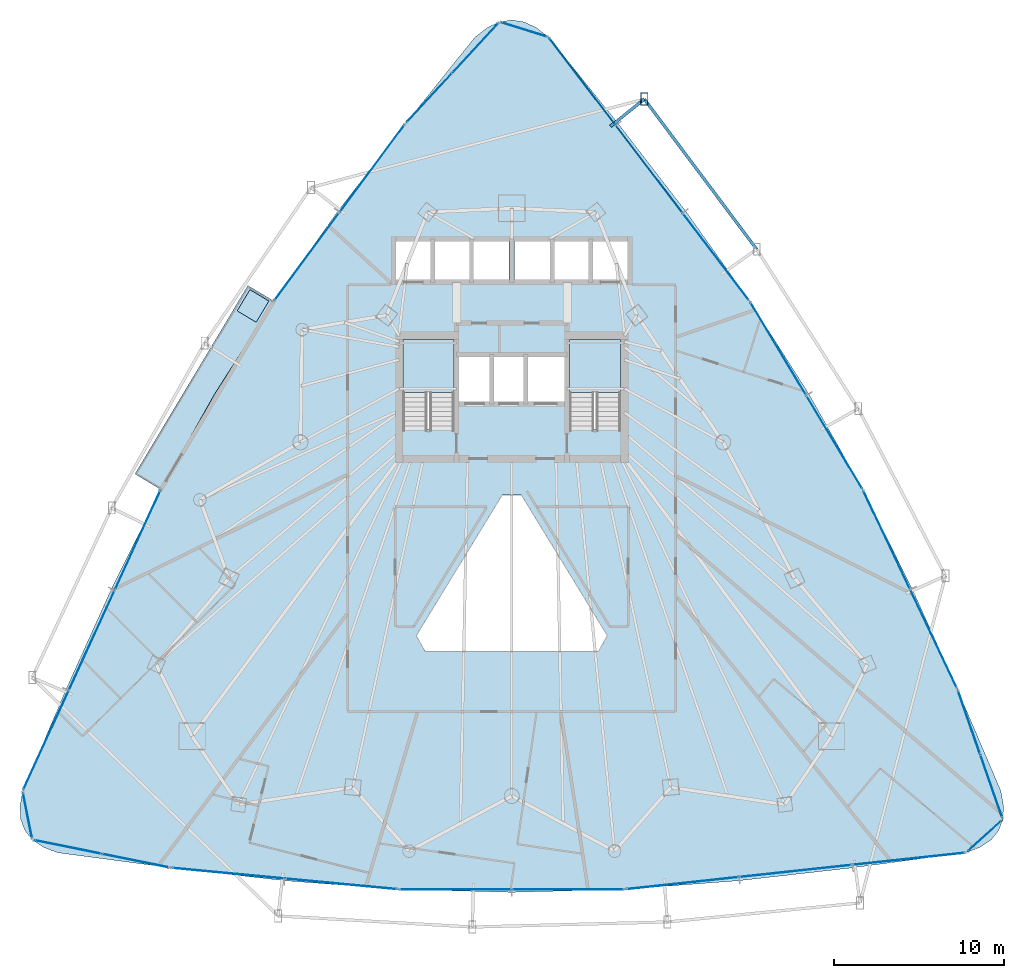
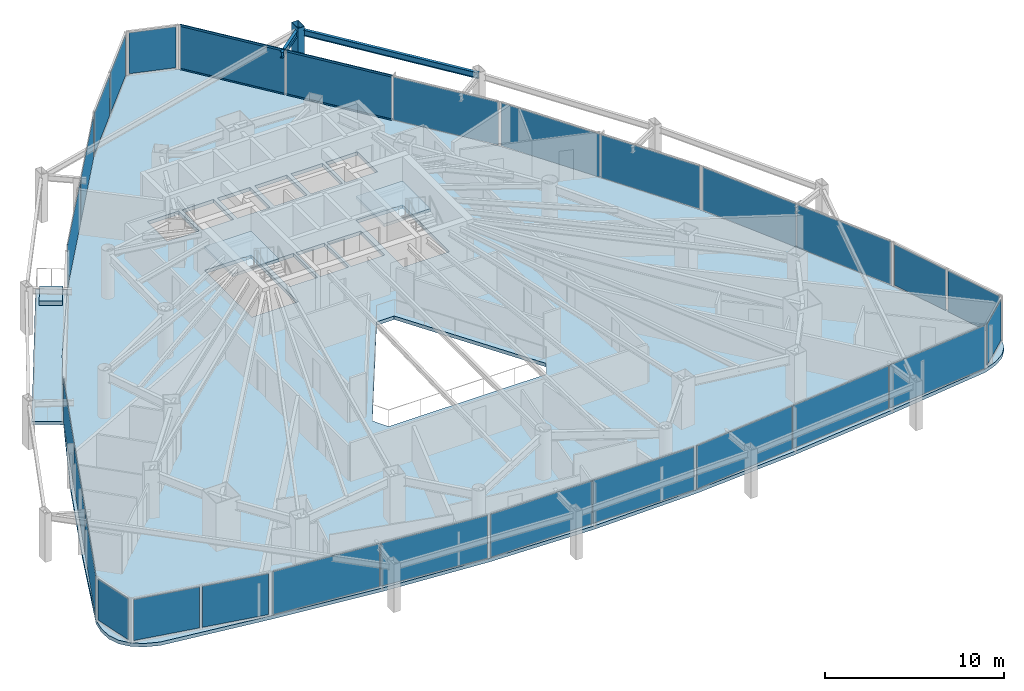
# One storey, part 28 of 35: 28 plates, 5 members, 5 slabs, 2 beams, 16 elements without a shape of their own.
"""IFC4 building model written with IfcOpenShell, lengths in metres."""

from ifc_helpers import new_model, si_unit, direction, frame, origin, origin_2d, place, context, subcontext, project, spatial, polyline, rectangle, hollow_rectangle, i_section, outline, extrude, material, layer, layer_set, material_profile, profile_set, type_object, element, aggregate, save


model = new_model("IFC4")

# Units and contexts
model_context = context("Model", 3, precision=1e-05, world=origin(), true_north=direction((0.0, 1.0)))
body_context = subcontext(model_context, "Body", "Model", "MODEL_VIEW")
ifc_project = project(units=[si_unit("LENGTHUNIT", "METRE"), si_unit("AREAUNIT", "SQUARE_METRE"), si_unit("VOLUMEUNIT", "CUBIC_METRE"), si_unit("PLANEANGLEUNIT", "RADIAN"), si_unit("MASSUNIT", "GRAM", prefix="KILO")], contexts=[model_context])

# Site, building, storey
site_placement = place(None, origin())
site = spatial("IfcSite", under=ifc_project, at=site_placement, CompositionType="ELEMENT")
building_placement = place(site_placement, origin())
building = spatial("IfcBuilding", under=site, at=building_placement, Name="Orvanel Arch Residences", CompositionType="ELEMENT")
storey_placement = place(building_placement, frame((0.0, 0.0, 33.5)))
storey = spatial("IfcBuildingStorey", under=building, at=storey_placement, Name="L08", CompositionType="ELEMENT", Elevation=33.5)

# Member
ifc_material_1 = material(Name="Structural steel AS/NZS 3678 Grade 350", Category="steel")
ifc_material_profile_1 = material_profile(ifc_material_1, hollow_rectangle(XDim=0.419921875, YDim=0.719970703125, WallThickness=0.02490234375, at=origin_2d()), Name="RHS720x420x25")
ifc_profile_set_1 = profile_set([ifc_material_profile_1], Name="Structural steel AS/NZS 3678 Grade 350")
member_type_1 = type_object("IfcMemberType", Name="CH-720RHS-EXT", PredefinedType="CHORD", material=ifc_profile_set_1)
member_1_placement = place(storey_placement, frame((40.794921875, 47.820068359375, 0.0), z_axis=(0.0, 0.0, 1.0), x_axis=(1.0, 0.0, 0.0)))
element("IfcMember", 1, at=member_1_placement, inside=storey, type_object=member_type_1, Name="L08 Outer Perimeter Frame Post 12", PredefinedType="CHORD", context=body_context, shape_type="SweptSolid", body=[
    extrude(hollow_rectangle(XDim=0.419921875, YDim=0.719970703125, WallThickness=0.02490234375, at=origin_2d()), origin(), (0.0, 0.0, 1.0), 3.300048828125),
])

# Beams
ifc_material_2 = material(Name="Structural steel AS/NZS 3679.1 Grade 300 (300 MPa)", Category="steel")
ifc_material_profile_2 = material_profile(ifc_material_2, i_section(OverallWidth=0.177978515625, OverallDepth=0.406005859375, WebThickness=0.0078125, FlangeThickness=0.0126953125, at=origin_2d()), Name="410UB59.7")
ifc_profile_set_2 = profile_set([ifc_material_profile_2], Name="Structural steel AS/NZS 3679.1 Grade 300 (300 MPa)")
beam_type = type_object("IfcBeamType", Name="OB-410UB-EXT", PredefinedType="SPANDREL", material=ifc_profile_set_2)
beam_1_placement = place(storey_placement, frame((47.39794921875, 38.992919921875, 2.85693359375), z_axis=(-0.598993156517, 0.800754143571, 0.0), x_axis=(-0.800754143571, -0.598993156517, 0.0)))
element("IfcBeam", 2, at=beam_1_placement, inside=storey, type_object=beam_type, Name="L08 Outer Perimeter Floor Ring Beam 11", PredefinedType="SPANDREL", context=body_context, shape_type="SweptSolid", body=[
    extrude(i_section(OverallWidth=0.177978515625, OverallDepth=0.406005859375, WebThickness=0.0078125, FlangeThickness=0.0126953125, at=origin_2d()), origin(), (0.0, 0.0, 1.0), 11.0234375),
])
beam_2_placement = place(storey_placement, frame((38.80810546875, 46.221923828125, 2.85693359375), z_axis=(0.779203284633, 0.626771283019, 0.0), x_axis=(-0.626771283019, 0.779203284633, 0.0)))
element("IfcBeam", 3, at=beam_2_placement, inside=storey, type_object=beam_type, Name="L08 Outer Frame Radial Tie Beam 12", PredefinedType="SPANDREL", context=body_context, shape_type="SweptSolid", body=[
    extrude(i_section(OverallWidth=0.177978515625, OverallDepth=0.406005859375, WebThickness=0.0078125, FlangeThickness=0.0126953125, at=origin_2d()), origin(), (0.0, 0.0, 1.0), 2.5498046875),
])

# Curtain wall, members
ifc_material_3 = material(Name="Bronze-anodised aluminium AA6063-T6", Category="aluminium")
ifc_layer_1 = layer(ifc_material_3, 0.179931640625)
ifc_layer_set_1 = layer_set([ifc_layer_1], Name="Bronze-anodised aluminium AA6063-T6")
curtain_wall_type_1 = type_object("IfcCurtainWallType", Name="CW2-LOW-SYS", PredefinedType="NOTDEFINED", material=ifc_layer_set_1)
curtain_wall_1_placement = place(storey_placement, origin())
curtain_wall_1 = element("IfcCurtainWall", 4, at=curtain_wall_1_placement, inside=storey, type_object=curtain_wall_type_1, Name="L08 CW2-LOW-SYS Unitised Curtain Wall", PredefinedType="NOTDEFINED")
ifc_material_profile_3 = material_profile(ifc_material_3, hollow_rectangle(XDim=0.06005859375, YDim=0.135009765625, WallThickness=0.00390625, at=origin_2d()), Name="ALU135x60x4")
ifc_profile_set_3 = profile_set([ifc_material_profile_3], Name="Bronze-anodised aluminium AA6063-T6")
member_type_2 = type_object("IfcMemberType", Name="TRN-135x60", PredefinedType="USERDEFINED", material=ifc_profile_set_3)
member_2_placement = place(storey_placement, frame((43.026123046875, 41.1484375, 0.030029296875), z_axis=(-0.606008829545, 0.7954579175, 0.0), x_axis=(-0.7954579175, -0.606008829545, 0.0)))
member_2 = element("IfcMember", 5, at=member_2_placement, type_object=member_type_2, Name="CW-S2 transom 2.1", ObjectType="TRANSOM", PredefinedType="USERDEFINED", context=body_context, shape_type="SweptSolid", body=[
    extrude(hollow_rectangle(XDim=0.06005859375, YDim=0.135009765625, WallThickness=0.00390625, at=origin_2d()), origin(), (0.0, 0.0, 1.0), 6.417724609375),
])
member_3_placement = place(storey_placement, frame((43.026123046875, 41.1484375, 3.030029296875), z_axis=(-0.606008829545, 0.7954579175, 0.0), x_axis=(-0.7954579175, -0.606008829545, 0.0)))
member_3 = element("IfcMember", 6, at=member_3_placement, type_object=member_type_2, Name="CW-S2 transom 2.2", ObjectType="TRANSOM", PredefinedType="USERDEFINED", context=body_context, shape_type="SweptSolid", body=[
    extrude(hollow_rectangle(XDim=0.06005859375, YDim=0.135009765625, WallThickness=0.00390625, at=origin_2d()), origin(), (0.0, 0.0, 1.0), 6.417724609375),
])
member_4_placement = place(storey_placement, frame((39.094482421875, 46.30908203125, 0.030029296875), z_axis=(-0.606029385985, 0.795442256435, 0.0), x_axis=(-0.795442256435, -0.606029385985, 0.0)))
member_4 = element("IfcMember", 7, at=member_4_placement, type_object=member_type_2, Name="CW-S2 transom 3.1", ObjectType="TRANSOM", PredefinedType="USERDEFINED", context=body_context, shape_type="SweptSolid", body=[
    extrude(hollow_rectangle(XDim=0.06005859375, YDim=0.135009765625, WallThickness=0.00390625, at=origin_2d()), origin(), (0.0, 0.0, 1.0), 6.3828125),
])
member_5_placement = place(storey_placement, frame((39.094482421875, 46.30908203125, 3.030029296875), z_axis=(-0.606029385985, 0.795442256435, 0.0), x_axis=(-0.795442256435, -0.606029385985, 0.0)))
member_5 = element("IfcMember", 8, at=member_5_placement, type_object=member_type_2, Name="CW-S2 transom 3.2", ObjectType="TRANSOM", PredefinedType="USERDEFINED", context=body_context, shape_type="SweptSolid", body=[
    extrude(hollow_rectangle(XDim=0.06005859375, YDim=0.135009765625, WallThickness=0.00390625, at=origin_2d()), origin(), (0.0, 0.0, 1.0), 6.3828125),
])

# Curtain wall, plates
curtain_wall_2_placement = place(storey_placement, origin())
curtain_wall_2 = element("IfcCurtainWall", 9, at=curtain_wall_2_placement, inside=storey, type_object=curtain_wall_type_1, Name="L08 CW2-LOW-SYS Unitised Curtain Wall", PredefinedType="NOTDEFINED")
ifc_material_4 = material(Name="Double-glazed solar-control low-E safety glass", Category="glass")
ifc_layer_2 = layer(ifc_material_4, 0.028076171875)
ifc_layer_set_2 = layer_set([ifc_layer_2], Name="Double-glazed solar-control low-E safety glass")
plate_type_1 = type_object("IfcPlateType", Name="PNL-GLZ-28", PredefinedType="CURTAIN_PANEL", material=ifc_layer_set_2)
plate_1_placement = place(storey_placement, frame((24.7900390625, 43.745849609375, 0.06005859375), z_axis=(0.0, 0.0, 1.0), x_axis=(-0.595342095633, -0.803472332546, 0.0)))
plate_1 = element("IfcPlate", 10, at=plate_1_placement, type_object=plate_type_1, Name="CW-S2 panel 1.1", PredefinedType="CURTAIN_PANEL", context=body_context, shape_type="SweptSolid", body=[
    extrude(rectangle(XDim=6.366943359375, YDim=0.028076171875, at=origin_2d()), origin(), (0.0, 0.0, 1.0), 2.93994140625),
])
plate_2_placement = place(storey_placement, frame((20.9580078125, 38.573974609375, 0.06005859375), z_axis=(0.0, 0.0, 1.0), x_axis=(-0.595342095633, -0.803472332546, 0.0)))
plate_2 = element("IfcPlate", 11, at=plate_2_placement, type_object=plate_type_1, Name="CW-S2 panel 2.1", PredefinedType="CURTAIN_PANEL", context=body_context, shape_type="SweptSolid", body=[
    extrude(rectangle(XDim=6.366943359375, YDim=0.028076171875, at=origin_2d()), origin(), (0.0, 0.0, 1.0), 2.93994140625),
])
aggregate(curtain_wall_2, [plate_1, plate_2])

curtain_wall_3_placement = place(storey_placement, origin())
curtain_wall_3 = element("IfcCurtainWall", 12, at=curtain_wall_3_placement, inside=storey, type_object=curtain_wall_type_1, Name="L08 CW2-LOW-SYS Unitised Curtain Wall", PredefinedType="NOTDEFINED")
plate_3_placement = place(storey_placement, frame((10.99560546875, 21.879150390625, 0.06005859375), z_axis=(0.0, 0.0, 1.0), x_axis=(-0.416537940944, -0.909118333197, 0.0)))
plate_3 = element("IfcPlate", 13, at=plate_3_placement, type_object=plate_type_1, Name="CW-S2 panel 1.1", PredefinedType="CURTAIN_PANEL", context=body_context, shape_type="SweptSolid", body=[
    extrude(rectangle(XDim=6.382568359375, YDim=0.028076171875, at=origin_2d()), origin(), (0.0, 0.0, 1.0), 2.93994140625),
])
plate_4_placement = place(storey_placement, frame((8.300537109375, 15.9970703125, 0.06005859375), z_axis=(0.0, 0.0, 1.0), x_axis=(-0.416537940944, -0.909118333197, 0.0)))
plate_4 = element("IfcPlate", 14, at=plate_4_placement, type_object=plate_type_1, Name="CW-S2 panel 2.1", PredefinedType="CURTAIN_PANEL", context=body_context, shape_type="SweptSolid", body=[
    extrude(rectangle(XDim=6.417724609375, YDim=0.028076171875, at=origin_2d()), origin(), (0.0, 0.0, 1.0), 2.93994140625),
])
plate_5_placement = place(storey_placement, frame((5.60546875, 10.114990234375, 0.06005859375), z_axis=(0.0, 0.0, 1.0), x_axis=(-0.416537940944, -0.909118333197, 0.0)))
plate_5 = element("IfcPlate", 15, at=plate_5_placement, type_object=plate_type_1, Name="CW-S2 panel 3.1", PredefinedType="CURTAIN_PANEL", context=body_context, shape_type="SweptSolid", body=[
    extrude(rectangle(XDim=6.382568359375, YDim=0.028076171875, at=origin_2d()), origin(), (0.0, 0.0, 1.0), 2.93994140625),
])
aggregate(curtain_wall_3, [plate_3, plate_4, plate_5])

curtain_wall_4_placement = place(storey_placement, origin())
curtain_wall_4 = element("IfcCurtainWall", 16, at=curtain_wall_4_placement, inside=storey, type_object=curtain_wall_type_1, Name="L08 CW2-LOW-SYS Unitised Curtain Wall", PredefinedType="NOTDEFINED")
plate_6_placement = place(storey_placement, frame((16.333251953125, 2.2998046875, 0.06005859375), z_axis=(0.0, 0.0, 1.0), x_axis=(0.995566433353, -0.094061026895, 0.0)))
plate_6 = element("IfcPlate", 17, at=plate_6_placement, type_object=plate_type_1, Name="CW-S2 panel 1.1", PredefinedType="CURTAIN_PANEL", context=body_context, shape_type="SweptSolid", body=[
    extrude(rectangle(XDim=6.58203125, YDim=0.028076171875, at=origin_2d()), origin(), (0.0, 0.0, 1.0), 2.93994140625),
])
plate_7_placement = place(storey_placement, frame((22.955810546875, 1.674072265625, 0.06005859375), z_axis=(0.0, 0.0, 1.0), x_axis=(0.995566433353, -0.094061026895, 0.0)))
plate_7 = element("IfcPlate", 18, at=plate_7_placement, type_object=plate_type_1, Name="CW-S2 panel 2.1", PredefinedType="CURTAIN_PANEL", context=body_context, shape_type="SweptSolid", body=[
    extrude(rectangle(XDim=6.58203125, YDim=0.028076171875, at=origin_2d()), origin(), (0.0, 0.0, 1.0), 2.93994140625),
])
aggregate(curtain_wall_4, [plate_6, plate_7])

curtain_wall_5_placement = place(storey_placement, origin())
curtain_wall_5 = element("IfcCurtainWall", 19, at=curtain_wall_5_placement, inside=storey, type_object=curtain_wall_type_1, Name="L08 CW2-LOW-SYS Unitised Curtain Wall", PredefinedType="NOTDEFINED")
plate_8_placement = place(storey_placement, frame((29.6884765625, 1.35595703125, 0.06005859375), z_axis=(0.0, 0.0, 1.0), x_axis=(1.0, 0.0, 0.0)))
plate_8 = element("IfcPlate", 20, at=plate_8_placement, type_object=plate_type_1, Name="CW-S2 panel 1.1", PredefinedType="CURTAIN_PANEL", context=body_context, shape_type="SweptSolid", body=[
    extrude(rectangle(XDim=6.552978515625, YDim=0.028076171875, at=origin_2d()), origin(), (0.0, 0.0, 1.0), 2.93994140625),
])
plate_9_placement = place(storey_placement, frame((36.3115234375, 1.35595703125, 0.06005859375), z_axis=(0.0, 0.0, 1.0), x_axis=(1.0, 0.0, 0.0)))
plate_9 = element("IfcPlate", 21, at=plate_9_placement, type_object=plate_type_1, Name="CW-S2 panel 2.1", PredefinedType="CURTAIN_PANEL", context=body_context, shape_type="SweptSolid", body=[
    extrude(rectangle(XDim=6.552978515625, YDim=0.028076171875, at=origin_2d()), origin(), (0.0, 0.0, 1.0), 2.93994140625),
])
aggregate(curtain_wall_5, [plate_8, plate_9])

curtain_wall_6_placement = place(storey_placement, origin())
curtain_wall_6 = element("IfcCurtainWall", 22, at=curtain_wall_6_placement, inside=storey, type_object=curtain_wall_type_1, Name="L08 CW2-LOW-SYS Unitised Curtain Wall", PredefinedType="NOTDEFINED")
plate_10_placement = place(storey_placement, frame((43.047607421875, 1.71826171875, 0.06005859375), z_axis=(0.0, 0.0, 1.0), x_axis=(0.994267499998, 0.106921178668, 0.0)))
plate_10 = element("IfcPlate", 23, at=plate_10_placement, type_object=plate_type_1, Name="CW-S2 panel 1.1", PredefinedType="CURTAIN_PANEL", context=body_context, shape_type="SweptSolid", body=[
    extrude(rectangle(XDim=6.59765625, YDim=0.028076171875, at=origin_2d()), origin(), (0.0, 0.0, 1.0), 2.93994140625),
])
plate_11_placement = place(storey_placement, frame((49.694580078125, 2.43310546875, 0.06005859375), z_axis=(0.0, 0.0, 1.0), x_axis=(0.994267499998, 0.106921178668, 0.0)))
plate_11 = element("IfcPlate", 24, at=plate_11_placement, type_object=plate_type_1, Name="CW-S2 panel 2.1", PredefinedType="CURTAIN_PANEL", context=body_context, shape_type="SweptSolid", body=[
    extrude(rectangle(XDim=6.6328125, YDim=0.028076171875, at=origin_2d()), origin(), (0.0, 0.0, 1.0), 2.93994140625),
])
plate_12_placement = place(storey_placement, frame((56.341552734375, 3.147705078125, 0.06005859375), z_axis=(0.0, 0.0, 1.0), x_axis=(0.994267499998, 0.106921178668, 0.0)))
plate_12 = element("IfcPlate", 25, at=plate_12_placement, type_object=plate_type_1, Name="CW-S2 panel 3.1", PredefinedType="CURTAIN_PANEL", context=body_context, shape_type="SweptSolid", body=[
    extrude(rectangle(XDim=6.59765625, YDim=0.028076171875, at=origin_2d()), origin(), (0.0, 0.0, 1.0), 2.93994140625),
])
aggregate(curtain_wall_6, [plate_10, plate_11, plate_12])

curtain_wall_7_placement = place(storey_placement, origin())
curtain_wall_7 = element("IfcCurtainWall", 26, at=curtain_wall_7_placement, inside=storey, type_object=curtain_wall_type_1, Name="L08 CW2-LOW-SYS Unitised Curtain Wall", PredefinedType="NOTDEFINED")
plate_13_placement = place(storey_placement, frame((57.7998046875, 16.08935546875, 0.06005859375), z_axis=(0.0, 0.0, 1.0), x_axis=(-0.4285745037, 0.903506444237, 0.0)))
plate_13 = element("IfcPlate", 27, at=plate_13_placement, type_object=plate_type_1, Name="CW-S2 panel 1.1", PredefinedType="CURTAIN_PANEL", context=body_context, shape_type="SweptSolid", body=[
    extrude(rectangle(XDim=6.366455078125, YDim=0.028076171875, at=origin_2d()), origin(), (0.0, 0.0, 1.0), 2.93994140625),
])
plate_14_placement = place(storey_placement, frame((55.041259765625, 21.90478515625, 0.06005859375), z_axis=(0.0, 0.0, 1.0), x_axis=(-0.4285745037, 0.903506444237, 0.0)))
plate_14 = element("IfcPlate", 28, at=plate_14_placement, type_object=plate_type_1, Name="CW-S2 panel 2.1", PredefinedType="CURTAIN_PANEL", context=body_context, shape_type="SweptSolid", body=[
    extrude(rectangle(XDim=6.366455078125, YDim=0.028076171875, at=origin_2d()), origin(), (0.0, 0.0, 1.0), 2.93994140625),
])
aggregate(curtain_wall_7, [plate_13, plate_14])

curtain_wall_8_placement = place(storey_placement, origin())
curtain_wall_8 = element("IfcCurtainWall", 29, at=curtain_wall_8_placement, inside=storey, type_object=curtain_wall_type_1, Name="L08 CW2-LOW-SYS Unitised Curtain Wall", PredefinedType="NOTDEFINED")
plate_15_placement = place(storey_placement, frame((51.962158203125, 27.656005859375, 0.06005859375), z_axis=(0.0, 0.0, 1.0), x_axis=(-0.514393018326, 0.857554559604, 0.0)))
plate_15 = element("IfcPlate", 30, at=plate_15_placement, type_object=plate_type_1, Name="CW-S2 panel 1.1", PredefinedType="CURTAIN_PANEL", context=body_context, shape_type="SweptSolid", body=[
    extrude(rectangle(XDim=6.336669921875, YDim=0.028076171875, at=origin_2d()), origin(), (0.0, 0.0, 1.0), 2.93994140625),
])
plate_16_placement = place(storey_placement, frame((48.666748046875, 33.14990234375, 0.06005859375), z_axis=(0.0, 0.0, 1.0), x_axis=(-0.514393018326, 0.857554559604, 0.0)))
plate_16 = element("IfcPlate", 31, at=plate_16_placement, type_object=plate_type_1, Name="CW-S2 panel 2.1", PredefinedType="CURTAIN_PANEL", context=body_context, shape_type="SweptSolid", body=[
    extrude(rectangle(XDim=6.336669921875, YDim=0.028076171875, at=origin_2d()), origin(), (0.0, 0.0, 1.0), 2.93994140625),
])
aggregate(curtain_wall_8, [plate_15, plate_16])

# Plate
plate_17_placement = place(storey_placement, frame((45.00244140625, 38.55419921875, 0.06005859375), z_axis=(0.0, 0.0, 1.0), x_axis=(-0.606016898793, 0.795451769988, 0.0)))
plate_17 = element("IfcPlate", 32, at=plate_17_placement, type_object=plate_type_1, Name="CW-S2 panel 1.1", PredefinedType="CURTAIN_PANEL", context=body_context, shape_type="SweptSolid", body=[
    extrude(rectangle(XDim=6.3828125, YDim=0.028076171875, at=origin_2d()), origin(), (0.0, 0.0, 1.0), 2.93994140625),
])

plate_18_placement = place(storey_placement, frame((41.08154296875, 43.700927734375, 0.06005859375), z_axis=(0.0, 0.0, 1.0), x_axis=(-0.606016898793, 0.795451769988, 0.0)))
plate_18 = element("IfcPlate", 33, at=plate_18_placement, type_object=plate_type_1, Name="CW-S2 panel 2.1", PredefinedType="CURTAIN_PANEL", context=body_context, shape_type="SweptSolid", body=[
    extrude(rectangle(XDim=6.417724609375, YDim=0.028076171875, at=origin_2d()), origin(), (0.0, 0.0, 1.0), 2.93994140625),
])

plate_19_placement = place(storey_placement, frame((37.160400390625, 48.84765625, 0.06005859375), z_axis=(0.0, 0.0, 1.0), x_axis=(-0.606016898793, 0.795451769988, 0.0)))
plate_19 = element("IfcPlate", 34, at=plate_19_placement, type_object=plate_type_1, Name="CW-S2 panel 3.1", PredefinedType="CURTAIN_PANEL", context=body_context, shape_type="SweptSolid", body=[
    extrude(rectangle(XDim=6.3828125, YDim=0.028076171875, at=origin_2d()), origin(), (0.0, 0.0, 1.0), 2.93994140625),
])

aggregate(curtain_wall_1, [plate_17, member_2, member_3, plate_18, member_4, member_5, plate_19])

# Curtain wall, plate
ifc_layer_3 = layer(ifc_material_3, 0.18994140625)
ifc_layer_set_3 = layer_set([ifc_layer_3], Name="Bronze-anodised aluminium AA6063-T6")
curtain_wall_type_2 = type_object("IfcCurtainWallType", Name="CW5-CRN-SYS", PredefinedType="NOTDEFINED", material=ifc_layer_set_3)
curtain_wall_9_placement = place(storey_placement, origin())
curtain_wall_9 = element("IfcCurtainWall", 35, at=curtain_wall_9_placement, inside=storey, type_object=curtain_wall_type_2, Name="L08 CW5-CRN-SYS Unitised Curtain Wall", PredefinedType="NOTDEFINED")
ifc_layer_4 = layer(ifc_material_4, 0.031982421875)
ifc_layer_set_4 = layer_set([ifc_layer_4], Name="Double-glazed solar-control low-E safety glass")
plate_type_2 = type_object("IfcPlateType", Name="PNL-GLZ-32", PredefinedType="CURTAIN_PANEL", material=ifc_layer_set_4)
plate_20_placement = place(storey_placement, frame((33.72412109375, 51.908935546875, 0.1298828125), z_axis=(0.0, 0.0, 1.0), x_axis=(-0.954776720929, 0.297323751443, 0.0)))
plate_20 = element("IfcPlate", 36, at=plate_20_placement, type_object=plate_type_2, Name="CW-S5 panel 1.1", PredefinedType="CURTAIN_PANEL", context=body_context, shape_type="SweptSolid", body=[
    extrude(rectangle(XDim=2.693359375, YDim=0.031982421875, at=origin_2d()), origin(), (0.0, 0.0, 1.0), 2.800048828125),
])
aggregate(curtain_wall_9, [plate_20])

# Curtain wall, plates
curtain_wall_10_placement = place(storey_placement, origin())
curtain_wall_10 = element("IfcCurtainWall", 37, at=curtain_wall_10_placement, inside=storey, type_object=curtain_wall_type_2, Name="L08 CW5-CRN-SYS Unitised Curtain Wall", PredefinedType="NOTDEFINED")
plate_21_placement = place(storey_placement, frame((30.859375, 50.828857421875, 0.1298828125), z_axis=(0.0, 0.0, 1.0), x_axis=(-0.679144949794, -0.734004180621, 0.0)))
plate_21 = element("IfcPlate", 38, at=plate_21_placement, type_object=plate_type_2, Name="CW-S5 panel 1.1", PredefinedType="CURTAIN_PANEL", context=body_context, shape_type="SweptSolid", body=[
    extrude(rectangle(XDim=3.830810546875, YDim=0.031982421875, at=origin_2d()), origin(), (0.0, 0.0, 1.0), 2.800048828125),
])
plate_22_placement = place(storey_placement, frame((28.15576171875, 47.906982421875, 0.1298828125), z_axis=(0.0, 0.0, 1.0), x_axis=(-0.679144949794, -0.734004180621, 0.0)))
plate_22 = element("IfcPlate", 39, at=plate_22_placement, type_object=plate_type_2, Name="CW-S5 panel 2.1", PredefinedType="CURTAIN_PANEL", context=body_context, shape_type="SweptSolid", body=[
    extrude(rectangle(XDim=3.830810546875, YDim=0.031982421875, at=origin_2d()), origin(), (0.0, 0.0, 1.0), 2.800048828125),
])
aggregate(curtain_wall_10, [plate_21, plate_22])

# Curtain wall, plate
curtain_wall_11_placement = place(storey_placement, origin())
curtain_wall_11 = element("IfcCurtainWall", 40, at=curtain_wall_11_placement, inside=storey, type_object=curtain_wall_type_2, Name="L08 CW5-CRN-SYS Unitised Curtain Wall", PredefinedType="NOTDEFINED")
plate_23_placement = place(storey_placement, frame((4.5244140625, 5.699462890625, 0.1298828125), z_axis=(0.0, 0.0, 1.0), x_axis=(0.195448483179, -0.98071396973, 0.0)))
plate_23 = element("IfcPlate", 41, at=plate_23_placement, type_object=plate_type_2, Name="CW-S5 panel 1.1", PredefinedType="CURTAIN_PANEL", context=body_context, shape_type="SweptSolid", body=[
    extrude(rectangle(XDim=2.58056640625, YDim=0.031982421875, at=origin_2d()), origin(), (0.0, 0.0, 1.0), 2.800048828125),
])
aggregate(curtain_wall_11, [plate_23])

# Curtain wall, plates
curtain_wall_12_placement = place(storey_placement, origin())
curtain_wall_12 = element("IfcCurtainWall", 42, at=curtain_wall_12_placement, inside=storey, type_object=curtain_wall_type_2, Name="L08 CW5-CRN-SYS Unitised Curtain Wall", PredefinedType="NOTDEFINED")
plate_24_placement = place(storey_placement, frame((6.89599609375, 3.84521484375, 0.1298828125), z_axis=(0.0, 0.0, 1.0), x_axis=(0.980169836434, -0.198159258538, 0.0)))
plate_24 = element("IfcPlate", 43, at=plate_24_placement, type_object=plate_type_2, Name="CW-S5 panel 1.1", PredefinedType="CURTAIN_PANEL", context=body_context, shape_type="SweptSolid", body=[
    extrude(rectangle(XDim=3.91552734375, YDim=0.031982421875, at=origin_2d()), origin(), (0.0, 0.0, 1.0), 2.800048828125),
])
plate_25_placement = place(storey_placement, frame((10.881103515625, 3.039794921875, 0.1298828125), z_axis=(0.0, 0.0, 1.0), x_axis=(0.980169836434, -0.198159258538, 0.0)))
plate_25 = element("IfcPlate", 44, at=plate_25_placement, type_object=plate_type_2, Name="CW-S5 panel 2.1", PredefinedType="CURTAIN_PANEL", context=body_context, shape_type="SweptSolid", body=[
    extrude(rectangle(XDim=3.91552734375, YDim=0.031982421875, at=origin_2d()), origin(), (0.0, 0.0, 1.0), 2.800048828125),
])
aggregate(curtain_wall_12, [plate_24, plate_25])

# Curtain wall, plate
curtain_wall_13_placement = place(storey_placement, origin())
curtain_wall_13 = element("IfcCurtainWall", 45, at=curtain_wall_13_placement, inside=storey, type_object=curtain_wall_type_2, Name="L08 CW5-CRN-SYS Unitised Curtain Wall", PredefinedType="NOTDEFINED")
plate_26_placement = place(storey_placement, frame((60.79248046875, 4.491943359375, 0.1298828125), z_axis=(0.0, 0.0, 1.0), x_axis=(0.740128454926, 0.672465516, 0.0)))
plate_26 = element("IfcPlate", 46, at=plate_26_placement, type_object=plate_type_2, Name="CW-S5 panel 1.1", PredefinedType="CURTAIN_PANEL", context=body_context, shape_type="SweptSolid", body=[
    extrude(rectangle(XDim=2.58203125, YDim=0.031982421875, at=origin_2d()), origin(), (0.0, 0.0, 1.0), 2.800048828125),
])
aggregate(curtain_wall_13, [plate_26])

# Curtain wall, plates
curtain_wall_14_placement = place(storey_placement, origin())
curtain_wall_14 = element("IfcCurtainWall", 47, at=curtain_wall_14_placement, inside=storey, type_object=curtain_wall_type_2, Name="L08 CW5-CRN-SYS Unitised Curtain Wall", PredefinedType="NOTDEFINED")
plate_27_placement = place(storey_placement, frame((61.1904296875, 7.433349609375, 0.1298828125), z_axis=(0.0, 0.0, 1.0), x_axis=(-0.329246265169, 0.94424408755, 0.0)))
plate_27 = element("IfcPlate", 48, at=plate_27_placement, type_object=plate_type_2, Name="CW-S5 panel 1.1", PredefinedType="CURTAIN_PANEL", context=body_context, shape_type="SweptSolid", body=[
    extrude(rectangle(XDim=3.81005859375, YDim=0.031982421875, at=origin_2d()), origin(), (0.0, 0.0, 1.0), 2.800048828125),
])
plate_28_placement = place(storey_placement, frame((59.88671875, 11.172607421875, 0.1298828125), z_axis=(0.0, 0.0, 1.0), x_axis=(-0.329246265169, 0.94424408755, 0.0)))
plate_28 = element("IfcPlate", 49, at=plate_28_placement, type_object=plate_type_2, Name="CW-S5 panel 2.1", PredefinedType="CURTAIN_PANEL", context=body_context, shape_type="SweptSolid", body=[
    extrude(rectangle(XDim=3.81005859375, YDim=0.031982421875, at=origin_2d()), origin(), (0.0, 0.0, 1.0), 2.800048828125),
])
aggregate(curtain_wall_14, [plate_27, plate_28])

# Slab
ifc_material_5 = material(Name="Concrete N40 (40 MPa)", Category="concrete")
ifc_layer_5 = layer(ifc_material_5, 0.215087890625)
ifc_layer_set_5 = layer_set([ifc_layer_5], Name="Concrete N40 (40 MPa)")
slab_type_1 = type_object("IfcSlabType", Name="SLB-BAL-215", PredefinedType="FLOOR", material=ifc_layer_set_5)
slab_1_placement = place(storey_placement, frame((0.0, 0.0, -0.215087890625)))
element("IfcSlab", 50, at=slab_1_placement, inside=storey, type_object=slab_type_1, Name="L08 Cantilevered Balcony Slab Face 1", PredefinedType="FLOOR", context=body_context, shape_type="SweptSolid", body=[
    extrude(outline(polyline([(17.48291015625, 36.860107421875), (10.8359375, 25.778076171875), (12.362060546875, 24.862060546875), (15.533935546875, 30.493896484375), (19.009033203125, 35.944091796875), (17.48291015625, 36.860107421875)])), origin(), (0.0, 0.0, 1.0), 0.215087890625),
])

# Stair, slab
ifc_material_6 = material(Name="Precast concrete N50 (50 MPa)", Category="concrete")
stair_type = type_object("IfcStairType", Name="STR-DOG-184", PredefinedType="USERDEFINED", material=ifc_material_6)
stair_1_placement = place(storey_placement, origin())
stair_1 = element("IfcStair", 51, at=stair_1_placement, inside=storey, type_object=stair_type, Name="L08 Fire-Isolated Core Exit Stair 1", ObjectType="TWO_RETURN_STAIR", PredefinedType="USERDEFINED")
ifc_layer_6 = layer(ifc_material_5, 0.199951171875)
ifc_layer_set_6 = layer_set([ifc_layer_6], Name="Concrete N40 (40 MPa)")
slab_type_2 = type_object("IfcSlabType", Name="SLB-LND-200", PredefinedType="LANDING", material=ifc_layer_set_6)
slab_2_placement = place(storey_placement, frame((0.0, 0.0, 1.449951171875)))
slab_2 = element("IfcSlab", 52, at=slab_2_placement, type_object=slab_type_2, Name="ST-1 landing 1", PredefinedType="LANDING", context=body_context, shape_type="SweptSolid", body=[
    extrude(outline(polyline([(29.60009765625, 30.56005859375), (29.60009765625, 33.699951171875), (26.60009765625, 33.699951171875), (26.60009765625, 30.56005859375), (29.60009765625, 30.56005859375)])), origin(), (0.0, 0.0, 1.0), 0.199951171875),
])
aggregate(stair_1, [slab_2])

stair_2_placement = place(storey_placement, origin())
stair_2 = element("IfcStair", 53, at=stair_2_placement, inside=storey, type_object=stair_type, Name="L08 Fire-Isolated Core Exit Stair 2", ObjectType="TWO_RETURN_STAIR", PredefinedType="USERDEFINED")
slab_3_placement = place(storey_placement, frame((0.0, 0.0, 1.449951171875)))
slab_3 = element("IfcSlab", 54, at=slab_3_placement, type_object=slab_type_2, Name="ST-2 landing 1", PredefinedType="LANDING", context=body_context, shape_type="SweptSolid", body=[
    extrude(outline(polyline([(39.39990234375, 30.56005859375), (39.39990234375, 33.699951171875), (36.39990234375, 33.699951171875), (36.39990234375, 30.56005859375), (39.39990234375, 30.56005859375)])), origin(), (0.0, 0.0, 1.0), 0.199951171875),
])
aggregate(stair_2, [slab_3])

# Slabs
ifc_material_7 = material(Name="Structural architectural precast concrete N40 (40 MPa) planter", Category="concrete")
ifc_layer_7 = layer(ifc_material_7, 0.320068359375)
ifc_layer_set_7 = layer_set([ifc_layer_7], Name="Structural architectural precast concrete N40 (40 MPa) planter")
slab_type_3 = type_object("IfcSlabType", Name="SLB-PLN-320", PredefinedType="USERDEFINED", material=ifc_layer_set_7)
slab_4_placement = place(storey_placement, origin())
element("IfcSlab", 55, at=slab_4_placement, inside=storey, type_object=slab_type_3, Name="L08 Balcony TREE PLANTER Face 1", ObjectType="PLANTER", PredefinedType="USERDEFINED", context=body_context, shape_type="SweptSolid", body=[
    extrude(outline(polyline([(17.60302734375, 36.613037109375), (16.85693359375, 35.368896484375), (17.971923828125, 34.699951171875), (18.718017578125, 35.944091796875), (17.60302734375, 36.613037109375)])), origin(), (0.0, 0.0, 1.0), 0.320068359375),
])
ifc_layer_8 = layer(ifc_material_5, 0.239990234375)
ifc_layer_set_8 = layer_set([ifc_layer_8], Name="Concrete N40 (40 MPa)")
slab_type_4 = type_object("IfcSlabType", Name="SLB-TYP-240", PredefinedType="FLOOR", material=ifc_layer_set_8)
slab_5_placement = place(storey_placement, frame((0.0, 0.0, -0.239990234375)))
element("IfcSlab", 56, at=slab_5_placement, inside=storey, type_object=slab_type_4, Name="L08 Tower Floor Slab", PredefinedType="FLOOR", context=body_context, shape_type="SweptSolid", body=[
    extrude(outline(polyline([(35.172119140625, 51.4580078125), (34.447998046875, 52.02197265625), (33.72412109375, 52.360107421875), (33.0, 52.471923828125), (32.27587890625, 52.360107421875), (31.552001953125, 52.02197265625), (30.827880859375, 51.4580078125), (26.739013671875, 46.3759765625), (22.76708984375, 41.22509765625), (19.009033203125, 35.944091796875), (15.533935546875, 30.493896484375), (12.362060546875, 24.862060546875), (9.471923828125, 19.06103515625), (6.797119140625, 13.132080078125), (4.239013671875, 7.132080078125), (4.0830078125, 6.24609375), (4.1259765625, 5.47412109375), (4.368896484375, 4.81396484375), (4.81005859375, 4.26708984375), (5.449951171875, 3.83203125), (6.2890625, 3.510009765625), (12.967041015625, 2.617919921875), (19.64501953125, 1.861083984375), (26.322021484375, 1.35595703125), (33.0, 1.177978515625), (39.677978515625, 1.35595703125), (46.35498046875, 1.861083984375), (53.032958984375, 2.617919921875), (59.7109375, 3.510009765625), (60.550048828125, 3.83203125), (61.18994140625, 4.26708984375), (61.631103515625, 4.81396484375), (61.8740234375, 5.47412109375), (61.9169921875, 6.24609375), (61.760986328125, 7.132080078125), (59.202880859375, 13.132080078125), (56.528076171875, 19.06103515625), (53.637939453125, 24.862060546875), (50.466064453125, 30.493896484375), (46.990966796875, 35.944091796875), (43.23291015625, 41.22509765625), (39.260986328125, 46.3759765625), (35.172119140625, 51.4580078125)]), holes=[polyline([(26.60009765625, 28.429931640625), (26.60009765625, 33.699951171875), (29.60009765625, 33.699951171875), (29.60009765625, 28.429931640625), (26.60009765625, 28.429931640625)]), polyline([(36.39990234375, 28.429931640625), (36.39990234375, 33.699951171875), (39.39990234375, 33.699951171875), (39.39990234375, 28.429931640625), (36.39990234375, 28.429931640625)]), polyline([(29.89990234375, 32.64990234375), (31.75, 32.64990234375), (31.75, 29.949951171875), (29.89990234375, 29.949951171875), (29.89990234375, 32.64990234375)]), polyline([(31.89990234375, 32.64990234375), (33.75, 32.64990234375), (33.75, 29.949951171875), (31.89990234375, 29.949951171875), (31.89990234375, 32.64990234375)]), polyline([(33.89990234375, 32.64990234375), (36.10009765625, 32.64990234375), (36.10009765625, 29.949951171875), (33.89990234375, 29.949951171875), (33.89990234375, 32.64990234375)]), polyline([(26.199951171875, 39.449951171875), (28.25, 39.449951171875), (28.25, 37.199951171875), (26.199951171875, 37.199951171875), (26.199951171875, 39.449951171875)]), polyline([(37.75, 39.449951171875), (39.800048828125, 39.449951171875), (39.800048828125, 37.199951171875), (37.75, 37.199951171875), (37.75, 39.449951171875)]), polyline([(28.449951171875, 39.449951171875), (30.5, 39.449951171875), (30.5, 37.199951171875), (28.449951171875, 37.199951171875), (28.449951171875, 39.449951171875)]), polyline([(35.5, 39.449951171875), (37.550048828125, 39.449951171875), (37.550048828125, 37.199951171875), (35.5, 37.199951171875), (35.5, 39.449951171875)]), polyline([(30.75, 39.449951171875), (32.85009765625, 39.449951171875), (32.85009765625, 37.199951171875), (30.75, 37.199951171875), (30.75, 39.449951171875)]), polyline([(33.14990234375, 39.449951171875), (35.25, 39.449951171875), (35.25, 37.199951171875), (33.14990234375, 37.199951171875), (33.14990234375, 39.449951171875)]), polyline([(38.616943359375, 16.27294921875), (38.094970703125, 15.342041015625), (27.905029296875, 15.342041015625), (27.383056640625, 16.27294921875), (32.430908203125, 24.531005859375), (33.569091796875, 24.531005859375), (38.616943359375, 16.27294921875)])]), origin(), (0.0, 0.0, 1.0), 0.239990234375),
])

save(model, "model.ifc")
